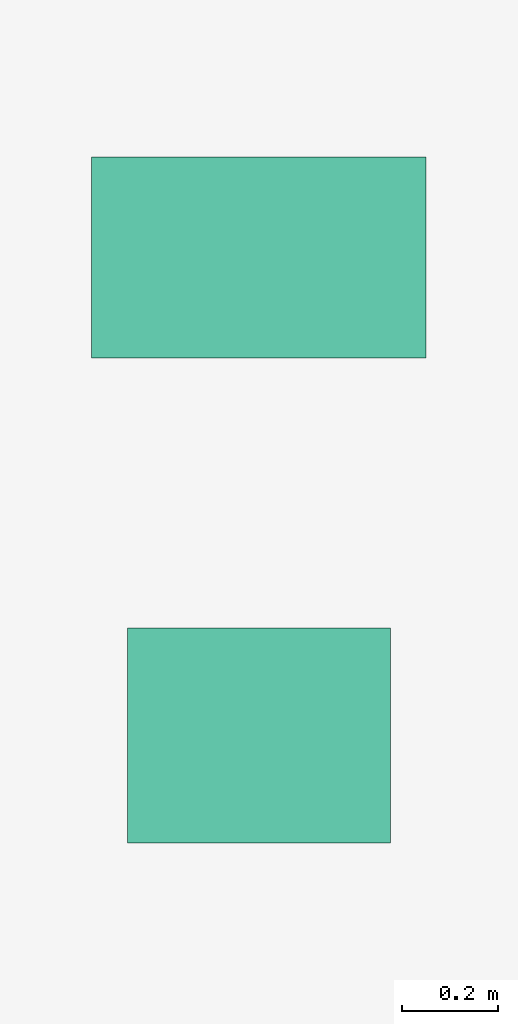
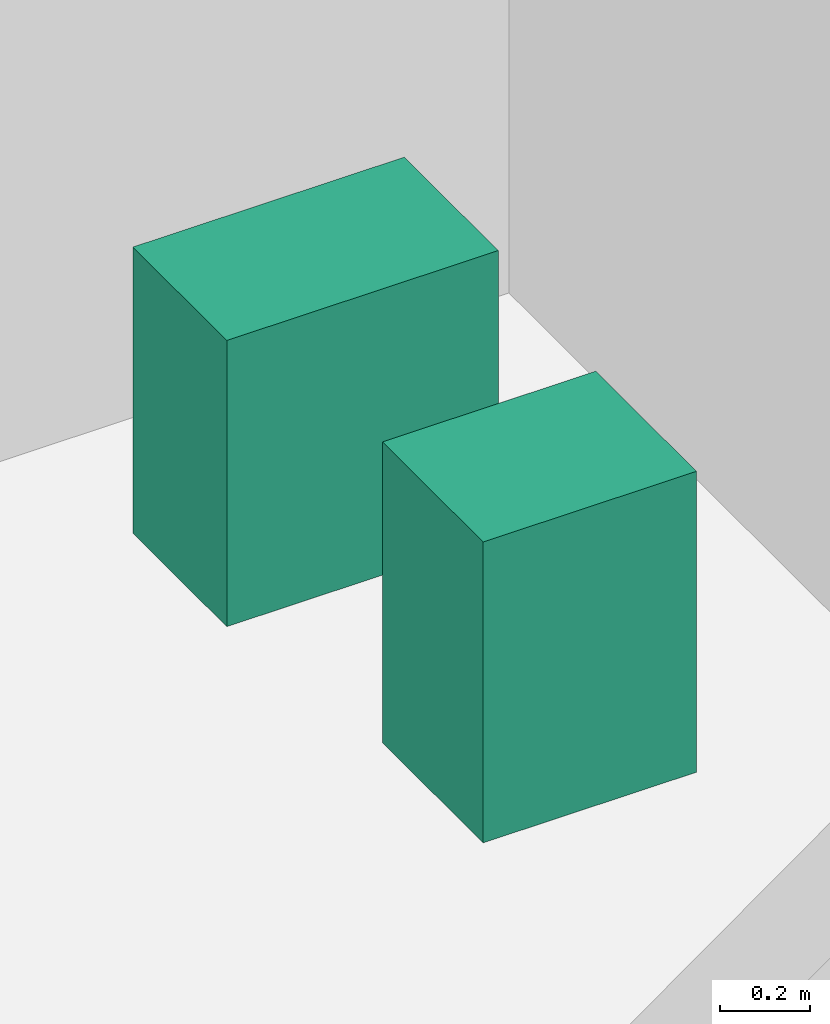
# One storey, part 22 of 22: 2 sanitary terminals.
"""IFC4 building model written with IfcOpenShell, lengths in metres."""

from ifc_helpers import new_model, si_unit, direction, frame, origin, origin_2d, place, context, subcontext, project, spatial, rectangle, extrude, source, transform, mapped, material, type_object, element, save


model = new_model("IFC4")

# Units and contexts
model_context = context("Model", 3, precision=1e-05, world=origin(), true_north=direction((0.0, 1.0)))
body_context = subcontext(model_context, "Body", "Model", "MODEL_VIEW")
ifc_project = project(units=[si_unit("LENGTHUNIT", "METRE"), si_unit("AREAUNIT", "SQUARE_METRE"), si_unit("VOLUMEUNIT", "CUBIC_METRE"), si_unit("PLANEANGLEUNIT", "RADIAN"), si_unit("MASSUNIT", "GRAM", prefix="KILO")], contexts=[model_context])

# Site, building, storey
site_placement = place(None, origin())
site = spatial("IfcSite", under=ifc_project, at=site_placement, CompositionType="ELEMENT")
building_placement = place(site_placement, origin())
building = spatial("IfcBuilding", under=site, at=building_placement, Name="Sumidabori Civic Tower", CompositionType="ELEMENT")
storey_placement = place(building_placement, frame((0.0, 0.0, 286.39990234375)))
storey = spatial("IfcBuildingStorey", under=building, at=storey_placement, Name="L75", CompositionType="ELEMENT", Elevation=286.39990234375)

# Sanitary terminals
ifc_material = material(Name="Vitreous Sanitary Porcelain")
sanitary_terminal_type_1 = type_object("IfcSanitaryTerminalType", Name="SN-WC-1", PredefinedType="TOILETPAN", material=ifc_material)
shared_shape_1 = source(origin(), body_context, "Body", "SweptSolid", [
    extrude(rectangle(XDim=0.699951171875, YDim=0.419921875, at=origin_2d()), origin(), (0.0, 0.0, 1.0), 0.780029296875),
])
sanitary_terminal_1_placement = place(storey_placement, frame((10.800048828125, 21.85009765625, 0.0), z_axis=(0.0, 0.0, 1.0), x_axis=(1.0, 0.0, 0.0)))
element("IfcSanitaryTerminal", 1, at=sanitary_terminal_1_placement, inside=storey, type_object=sanitary_terminal_type_1, Name="Accessible WC Pan L75", PredefinedType="TOILETPAN", context=body_context, shape_type="MappedRepresentation", body=[
    mapped(shared_shape_1, transform((0.0, 0.0, 0.0), x_axis=(1.0, 0.0, 0.0), y_axis=(0.0, 1.0, 0.0), z_axis=(0.0, 0.0, 1.0), scale=1.0)),
])
sanitary_terminal_type_2 = type_object("IfcSanitaryTerminalType", Name="SN-BAS-1", PredefinedType="WASHHANDBASIN", material=ifc_material)
shared_shape_2 = source(origin(), body_context, "Body", "SweptSolid", [
    extrude(rectangle(XDim=0.550048828125, YDim=0.449951171875, at=origin_2d()), origin(), (0.0, 0.0, 1.0), 0.820068359375),
])
sanitary_terminal_2_placement = place(storey_placement, frame((10.800048828125, 20.85009765625, 0.0), z_axis=(0.0, 0.0, 1.0), x_axis=(1.0, 0.0, 0.0)))
element("IfcSanitaryTerminal", 2, at=sanitary_terminal_2_placement, inside=storey, type_object=sanitary_terminal_type_2, Name="Accessible Basin L75", PredefinedType="WASHHANDBASIN", context=body_context, shape_type="MappedRepresentation", body=[
    mapped(shared_shape_2, transform((0.0, 0.0, 0.0), x_axis=(1.0, 0.0, 0.0), y_axis=(0.0, 1.0, 0.0), z_axis=(0.0, 0.0, 1.0), scale=1.0)),
])

save(model, "model.ifc")
